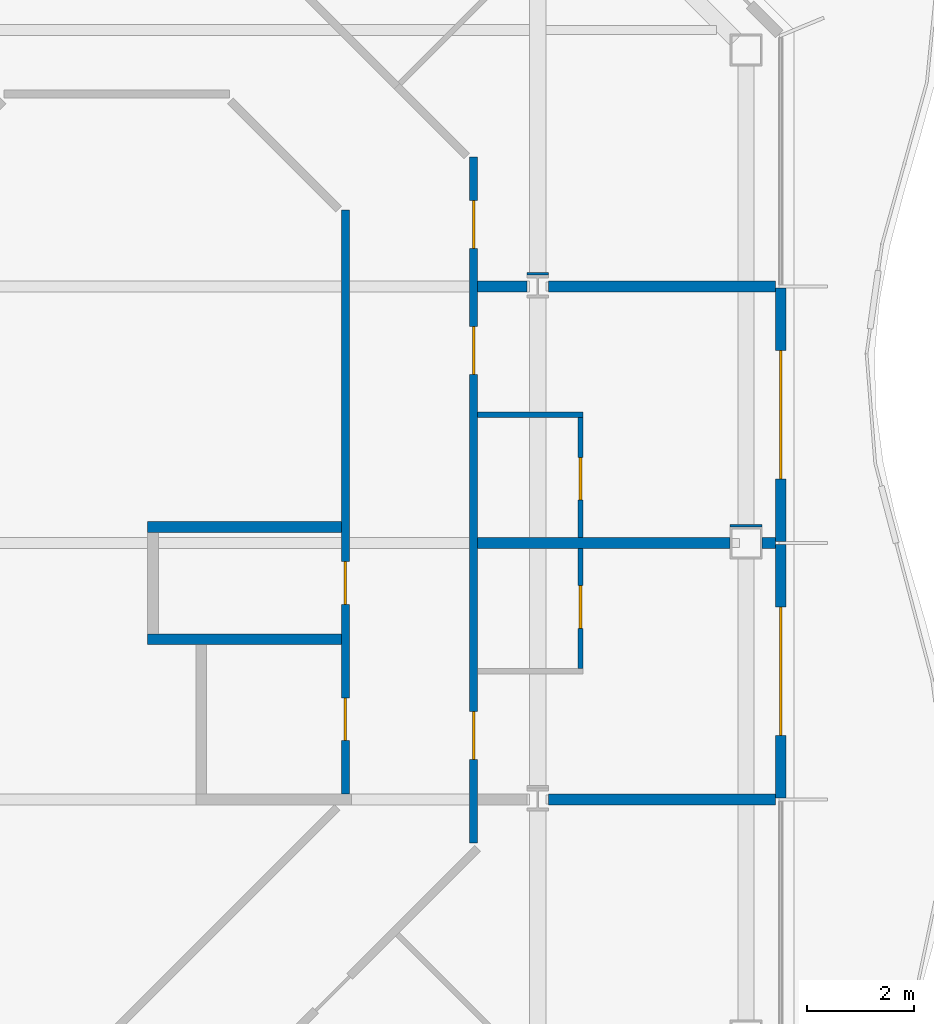
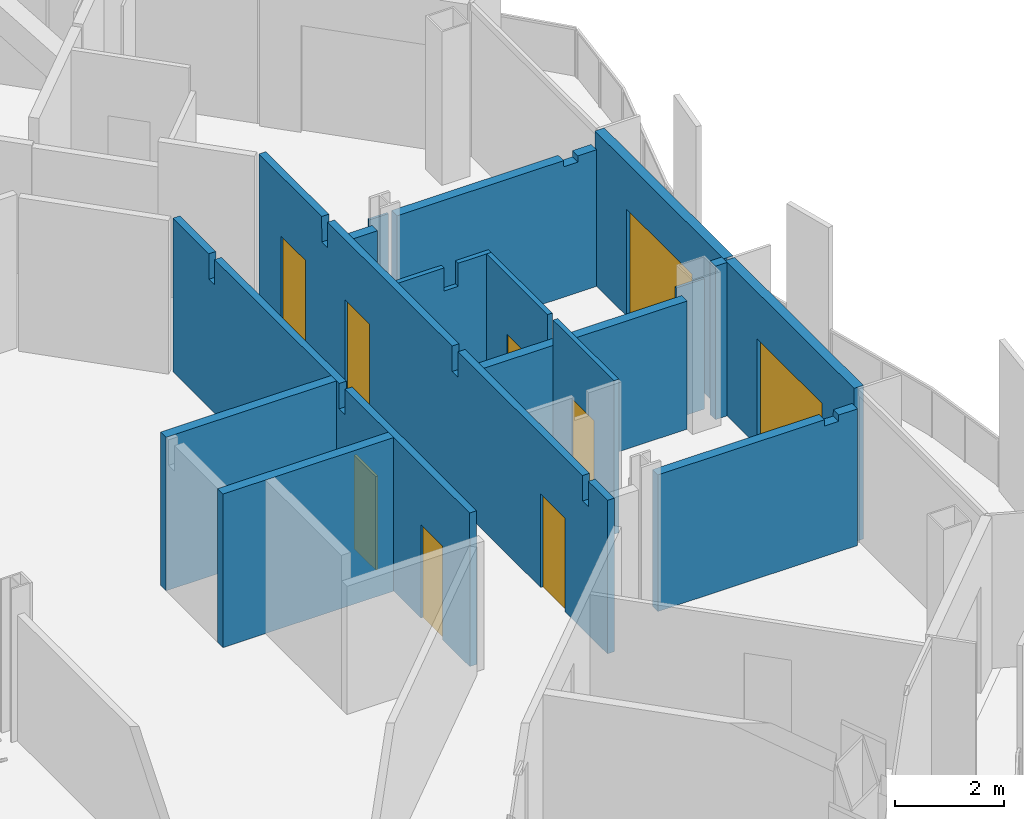
# One storey, part 11 of 21: 16 walls, 9 doors, 9 openings.
"""IFC4 building model written with IfcOpenShell, lengths in metres."""

import ifcopenshell
import ifcopenshell.guid

model = None  # the IFC model being written
_history = None  # IfcOwnerHistory: only IFC2X3 demands one
_inside = {}  # id of a spatial element -> (the spatial element, [elements in it])
_under = {}  # id of a project, library or spatial element -> (it, [spatial elements below it])
_declared = {}  # id of a project -> (the project, [libraries it declares])
_typed = {}  # id of a type object -> (the type object, [elements of that type])
_made_of = {}  # id of a material, layer set ... -> (it, [elements and type objects made of it])


def new_model(schema):
    """Start an empty IFC model of exactly this schema.

    Asked for "IFC4X3", IfcOpenShell would pick the latest addendum, in which some entities
    have other attributes; the version numbers below select the first issue.
    IFC2X3 requires an IfcOwnerHistory on every rooted entity: one is made here for all.
    """
    global model, _history
    if schema == "IFC4X3":
        model = ifcopenshell.file(schema_version=(4, 3, 0, 0))
    else:
        model = ifcopenshell.file(schema=schema)
    _inside.clear()
    _under.clear()
    _declared.clear()
    _typed.clear()
    _made_of.clear()
    _history = None
    if model.schema == "IFC2X3":
        org = make("IfcOrganization", Name="unknown")
        user = make(
            "IfcPersonAndOrganization",
            ThePerson=make("IfcPerson", FamilyName="unknown"),
            TheOrganization=org,
        )
        app = make(
            "IfcApplication",
            ApplicationDeveloper=org,
            Version="unknown",
            ApplicationFullName="unknown",
            ApplicationIdentifier="unknown",
        )
        _history = make(
            "IfcOwnerHistory",
            OwningUser=user,
            OwningApplication=app,
            ChangeAction="ADDED",
            CreationDate=0,
        )
    return model


def make(cls, **values):
    """One entity of the class cls with the attributes given. An attribute that is None is left unset."""
    return model.create_entity(
        cls, **{name: value for name, value in values.items() if value is not None}
    )


def rooted(cls, **values):
    """An entity with a GlobalId (a new one), such as an element, a storey or a relation."""
    return make(cls, GlobalId=ifcopenshell.guid.new(), OwnerHistory=_history, **values)


def si_unit(unit_type, name, prefix=None):
    """IfcSIUnit, for example si_unit("LENGTHUNIT", "METRE", prefix="MILLI")."""
    return make("IfcSIUnit", UnitType=unit_type, Prefix=prefix, Name=name)


def assignment(units):
    """IfcUnitAssignment: the units of a project."""
    return None if units is None else make("IfcUnitAssignment", Units=units)


def point(xyz):
    """IfcCartesianPoint."""
    return None if xyz is None else make("IfcCartesianPoint", Coordinates=xyz)


def direction(xyz):
    """IfcDirection."""
    return None if xyz is None else make("IfcDirection", DirectionRatios=xyz)


def frame(location, z_axis=None, x_axis=None):
    """IfcAxis2Placement3D, a coordinate frame: its origin and axes. An axis left out is left unset."""
    return make(
        "IfcAxis2Placement3D",
        Location=point(location),
        Axis=direction(z_axis),
        RefDirection=direction(x_axis),
    )


def frame_2d(location, x_axis=None):
    """IfcAxis2Placement2D, a coordinate frame in the plane: its origin and x axis."""
    return make(
        "IfcAxis2Placement2D", Location=point(location), RefDirection=direction(x_axis)
    )


def origin():
    """The frame at (0, 0, 0) with its axes left unset."""
    return frame((0.0, 0.0, 0.0))


def place(relative_to, where):
    """IfcLocalPlacement: puts the frame where relative to a parent placement (None: the world)."""
    return make(
        "IfcLocalPlacement", PlacementRelTo=relative_to, RelativePlacement=where
    )


def context(
    kind, dimensions, precision=None, world=None, true_north=None, identifier=None
):
    """IfcGeometricRepresentationContext, for example the 3D "Model" context."""
    return make(
        "IfcGeometricRepresentationContext",
        ContextIdentifier=identifier,
        ContextType=kind,
        CoordinateSpaceDimension=dimensions,
        Precision=precision,
        WorldCoordinateSystem=world,
        TrueNorth=true_north,
    )


def subcontext(parent, identifier, kind, view, scale=None):
    """IfcGeometricRepresentationSubContext, for example "Body" below "Model"."""
    return make(
        "IfcGeometricRepresentationSubContext",
        ContextIdentifier=identifier,
        ContextType=kind,
        ParentContext=parent,
        TargetScale=scale,
        TargetView=view,
    )


def project(units=None, contexts=None):
    """IfcProject with its units and contexts."""
    return rooted(
        "IfcProject",
        Name="project",
        RepresentationContexts=contexts,
        UnitsInContext=assignment(units),
    )


def spatial(cls, under=None, at=None, **own):
    """A site, building, storey or space (cls), placed at a placement, below another one or the project."""
    s = rooted(cls, ObjectPlacement=at, **own)
    if under is not None:
        _under.setdefault(under.id(), (under, []))[1].append(s)
    return s


def polyline(points):
    """IfcPolyline through the points."""
    return make("IfcPolyline", Points=[point(p) for p in points])


def profile(cls, at=None, kind="AREA", **sizes):
    """A parametric profile (cls). Its sizes go by their IFC names, for example OverallWidth=200.0."""
    return make(cls, ProfileType=kind, Position=at, **sizes)


def rectangle(**sizes):
    """IfcRectangleProfileDef."""
    return profile("IfcRectangleProfileDef", **sizes)


def outline(outer, holes=None, kind="AREA"):
    """IfcArbitraryClosedProfileDef: a profile drawn as a closed curve; with holes, ...WithVoids."""
    if holes is None:
        return make("IfcArbitraryClosedProfileDef", ProfileType=kind, OuterCurve=outer)
    return make(
        "IfcArbitraryProfileDefWithVoids",
        ProfileType=kind,
        OuterCurve=outer,
        InnerCurves=holes,
    )


def extrude(swept, where, along, depth):
    """IfcExtrudedAreaSolid: the profile swept, set in the frame where, extruded along a direction by depth."""
    return make(
        "IfcExtrudedAreaSolid",
        SweptArea=swept,
        Position=where,
        ExtrudedDirection=direction(along),
        Depth=depth,
    )


def shape(context_of_items, identifier, shape_type, items):
    """IfcShapeRepresentation: the items that make up one representation, for example the "Body"."""
    return make(
        "IfcShapeRepresentation",
        ContextOfItems=context_of_items,
        RepresentationIdentifier=identifier,
        RepresentationType=shape_type,
        Items=items,
    )


def material(Name=None, Category=None):
    """IfcMaterial."""
    return make("IfcMaterial", Name=Name, Category=Category)


def layer(
    of_material, thickness, ventilated=None, Name=None, Category=None, Priority=None
):
    """IfcMaterialLayer: one layer of a wall or slab, of a material (None: an air gap)."""
    return make(
        "IfcMaterialLayer",
        Material=of_material,
        LayerThickness=thickness,
        IsVentilated=ventilated,
        Name=Name,
        Category=Category,
        Priority=Priority,
    )


def layer_set(layers, Name=None):
    """IfcMaterialLayerSet."""
    return make("IfcMaterialLayerSet", MaterialLayers=layers, LayerSetName=Name)


def made_of(thing, what):
    """Note that an element or type object is made of a material, layer set ...; save() writes the relation."""
    if what is not None:
        _made_of.setdefault(what.id(), (what, []))[1].append(thing)
    return thing


def type_object(cls, material=None, **own):
    """A type object (cls), such as IfcWallType, which elements share."""
    return made_of(rooted(cls, **own), material)


def element(
    cls,
    number,
    at=None,
    inside=None,
    cuts=None,
    type_object=None,
    material=None,
    context=None,
    identifier="Body",
    shape_type=None,
    held_by="IfcProductDefinitionShape",
    body=None,
    shapes=None,
    **own,
):
    """One element of the class cls, such as IfcWall. Its Tag is "e" and its number.

    at: its placement. inside: the storey or other place that contains it. cuts: it is an
    opening in that element (IfcRelVoidsElement). A single representation is given by context,
    identifier, shape_type and body (its items); several are given by shapes. held_by: the class
    of the entity that holds the representations. save() writes the other relations.
    """
    e = rooted(cls, Tag="e%d" % number, ObjectPlacement=at, **own)
    if body is not None:
        shapes = [shape(context, identifier, shape_type, body)]
    if shapes is not None:
        e.Representation = make(held_by, Representations=shapes)
    if inside is not None:
        _inside.setdefault(inside.id(), (inside, []))[1].append(e)
    if cuts is not None:
        rooted(
            "IfcRelVoidsElement", RelatingBuildingElement=cuts, RelatedOpeningElement=e
        )
    if type_object is not None:
        _typed.setdefault(type_object.id(), (type_object, []))[1].append(e)
    return made_of(e, material)


def fill(opening, filler):
    """IfcRelFillsElement: the door or window that sits in an opening."""
    return rooted(
        "IfcRelFillsElement",
        RelatingOpeningElement=opening,
        RelatedBuildingElement=filler,
    )


def aggregate(whole, parts):
    """IfcRelAggregates: a whole, such as a stair, and the parts it consists of."""
    return rooted("IfcRelAggregates", RelatingObject=whole, RelatedObjects=parts)


def save(model, path):
    """Write the relations noted so far, then the file.

    IfcRelAggregates (storeys below a building ...), IfcRelContainedInSpatialStructure (elements
    in a storey), IfcRelDefinesByType, IfcRelAssociatesMaterial and IfcRelDeclares: one each for
    every whole, place, type object, material and project.
    """
    for whole, parts in _under.values():
        aggregate(whole, parts)
    for where, things in _inside.values():
        rooted(
            "IfcRelContainedInSpatialStructure",
            RelatedElements=things,
            RelatingStructure=where,
        )
    for kind, things in _typed.values():
        rooted("IfcRelDefinesByType", RelatedObjects=things, RelatingType=kind)
    for what, things in _made_of.values():
        rooted("IfcRelAssociatesMaterial", RelatedObjects=things, RelatingMaterial=what)
    for by, libraries in _declared.values():
        rooted("IfcRelDeclares", RelatingContext=by, RelatedDefinitions=libraries)
    model.write(path)


model = new_model("IFC4")

# Units and contexts
model_context = context("Model", 3, precision=1e-05, world=origin(), true_north=direction((0.0, 1.0)))
body_context = subcontext(model_context, "Body", "Model", "MODEL_VIEW")
ifc_project = project(units=[si_unit("LENGTHUNIT", "METRE"), si_unit("AREAUNIT", "SQUARE_METRE"), si_unit("VOLUMEUNIT", "CUBIC_METRE"), si_unit("PLANEANGLEUNIT", "RADIAN"), si_unit("MASSUNIT", "GRAM", prefix="KILO")], contexts=[model_context])

# Site, building, storey
site_placement = place(None, origin())
site = spatial("IfcSite", under=ifc_project, at=site_placement, CompositionType="ELEMENT")
building_placement = place(site_placement, origin())
building = spatial("IfcBuilding", under=site, at=building_placement, Name="Cairn Pilgrim Tower", CompositionType="ELEMENT")
storey_placement = place(building_placement, frame((0.0, 0.0, 157.800048828125)))
storey = spatial("IfcBuildingStorey", under=building, at=storey_placement, Name="L39", CompositionType="ELEMENT", Elevation=157.800048828125)

# Wall, opening, door
ifc_material_1 = material(Name="Bronze anodised aluminium insulated sandwich panel with mineral wool fill", Category="aluminium")
ifc_layer_1 = layer(ifc_material_1, 0.199951171875)
ifc_layer_set_1 = layer_set([ifc_layer_1], Name="BRONZE INFILL FRAME WALL 200")
wall_type_1 = type_object("IfcWallType", Name="BRONZE INFILL FRAME WALL 200", PredefinedType="NOTDEFINED", material=ifc_layer_set_1)
wall_1_placement = place(storey_placement, frame((35.75, 0.030029296875, 0.0), z_axis=(0.0, 0.0, 1.0), x_axis=(0.0, 1.0, 0.0)))
wall_1 = element("IfcWall", 1, at=wall_1_placement, inside=storey, type_object=wall_type_1, Name="Bronze infill frame wall IW-E2", PredefinedType="NOTDEFINED", context=body_context, shape_type="SweptSolid", body=[
    extrude(rectangle(XDim=4.739990234375, YDim=0.199951171875, at=frame_2d((2.3701171875, 0.0))), origin(), (0.0, 0.0, 1.0), 3.449951171875),
])
opening_1_placement = place(wall_1_placement, frame((1.169921875, 0.0, 0.0)))
opening_1 = element("IfcOpeningElement", 2, at=opening_1_placement, cuts=wall_1, Name="Opening 3906B", PredefinedType="OPENING", context=body_context, shape_type="SweptSolid", body=[
    extrude(rectangle(XDim=2.39990234375, YDim=2.39990234375, at=frame_2d((1.199951171875, 1.199951171875))), frame((0.0, 0.10986328125, 0.0), z_axis=(0.0, -1.0, 0.0), x_axis=(1.0, 0.0, 0.0)), (0.0, 0.0, 1.0), 0.219970703125),
])
ifc_material_2 = material(Name="Bronze anodised aluminium frame with tinted low-E glass", Category="aluminium")
door_type_1 = type_object("IfcDoorType", Name="BALCONY SLIDING DOOR 2400x2400", OperationType="DOUBLE_DOOR_SLIDING", PredefinedType="DOOR", material=ifc_material_2)
door_1_placement = place(opening_1_placement, origin())
door_1 = element("IfcDoor", 3, at=door_1_placement, inside=storey, type_object=door_type_1, Name="Balcony sliding door 3906B", OperationType="SINGLE_SWING_LEFT", OverallHeight=2.39990234375, OverallWidth=2.39990234375, PredefinedType="DOOR", context=body_context, shape_type="SweptSolid", body=[
    extrude(rectangle(XDim=2.39990234375, YDim=2.39990234375, at=frame_2d((1.199951171875, 1.199951171875))), frame((0.0, 0.02490234375, 0.0), z_axis=(0.0, -1.0, 0.0), x_axis=(1.0, 0.0, 0.0)), (0.0, 0.0, 1.0), 0.050048828125),
])
fill(opening_1, door_1)

wall_2_placement = place(storey_placement, frame((35.75, 4.830078125, 0.0), z_axis=(0.0, 0.0, 1.0), x_axis=(0.0, 1.0, 0.0)))
wall_2 = element("IfcWall", 4, at=wall_2_placement, inside=storey, type_object=wall_type_1, Name="Bronze infill frame wall IW-E3", PredefinedType="NOTDEFINED", context=body_context, shape_type="SweptSolid", body=[
    extrude(rectangle(XDim=4.739990234375, YDim=0.199951171875, at=frame_2d((2.3701171875, 0.0))), origin(), (0.0, 0.0, 1.0), 3.449951171875),
])
opening_2_placement = place(wall_2_placement, frame((1.169921875, 0.0, 0.0)))
opening_2 = element("IfcOpeningElement", 5, at=opening_2_placement, cuts=wall_2, Name="Opening 3907B", PredefinedType="OPENING", context=body_context, shape_type="SweptSolid", body=[
    extrude(rectangle(XDim=2.39990234375, YDim=2.39990234375, at=frame_2d((1.199951171875, 1.199951171875))), frame((0.0, 0.10986328125, 0.0), z_axis=(0.0, -1.0, 0.0), x_axis=(1.0, 0.0, 0.0)), (0.0, 0.0, 1.0), 0.219970703125),
])
door_2_placement = place(opening_2_placement, origin())
door_2 = element("IfcDoor", 6, at=door_2_placement, inside=storey, type_object=door_type_1, Name="Balcony sliding door 3907B", OperationType="SINGLE_SWING_LEFT", OverallHeight=2.39990234375, OverallWidth=2.39990234375, PredefinedType="DOOR", context=body_context, shape_type="SweptSolid", body=[
    extrude(rectangle(XDim=2.39990234375, YDim=2.39990234375, at=frame_2d((1.199951171875, 1.199951171875))), frame((0.0, 0.02490234375, 0.0), z_axis=(0.0, -1.0, 0.0), x_axis=(1.0, 0.0, 0.0)), (0.0, 0.0, 1.0), 0.050048828125),
])
fill(opening_2, door_2)

ifc_material_3 = material(Name="Gypsum partition")
ifc_layer_2 = layer(ifc_material_3, 0.10009765625)
ifc_layer_set_2 = layer_set([ifc_layer_2], Name="PARTITION 100 DRYWALL")
wall_type_2 = type_object("IfcWallType", Name="PARTITION 100 DRYWALL", PredefinedType="PARTITIONING", material=ifc_layer_set_2)
wall_3_placement = place(storey_placement, frame((32.0, 2.449951171875, 0.0), z_axis=(0.0, 0.0, 1.0), x_axis=(0.0, 1.0, 0.0)))
wall_3 = element("IfcWall", 7, at=wall_3_placement, inside=storey, type_object=wall_type_2, Name="PARTITION W050", PredefinedType="PARTITIONING", context=body_context, shape_type="SweptSolid", body=[
    extrude(rectangle(XDim=2.25, YDim=0.10009765625, at=frame_2d((1.125, 0.0))), origin(), (0.0, 0.0, 1.0), 3.449951171875),
])
opening_3_placement = place(wall_3_placement, frame((0.75, 0.0, 0.0)))
opening_3 = element("IfcOpeningElement", 8, at=opening_3_placement, cuts=wall_3, Name="Opening 3906A", PredefinedType="OPENING", context=body_context, shape_type="SweptSolid", body=[
    extrude(rectangle(XDim=0.800048828125, YDim=2.10009765625, at=frame_2d((0.39990234375, 1.050048828125))), frame((0.0, 0.06005859375, 0.0), z_axis=(0.0, -1.0, 0.0), x_axis=(1.0, 0.0, 0.0)), (0.0, 0.0, 1.0), 0.1201171875),
])
ifc_material_4 = material(Name="Timber door leaf", Category="wood")
door_type_2 = type_object("IfcDoorType", Name="WC DOOR 800x2100", OperationType="NOTDEFINED", PredefinedType="DOOR", material=ifc_material_4)
door_3_placement = place(opening_3_placement, frame((0.800048828125, 0.0, 0.0), z_axis=(0.0, 0.0, 1.0), x_axis=(-1.0, 0.0, 0.0)))
door_3 = element("IfcDoor", 9, at=door_3_placement, inside=storey, type_object=door_type_2, Name="DOOR 3906A", OperationType="SINGLE_SWING_LEFT", OverallHeight=2.10009765625, OverallWidth=0.800048828125, PredefinedType="DOOR", context=body_context, shape_type="SweptSolid", body=[
    extrude(rectangle(XDim=0.800048828125, YDim=2.10009765625, at=frame_2d((0.39990234375, 1.050048828125))), frame((0.0, 0.02490234375, 0.0), z_axis=(0.0, -1.0, 0.0), x_axis=(1.0, 0.0, 0.0)), (0.0, 0.0, 1.0), 0.050048828125),
])
fill(opening_3, door_3)

wall_4_placement = place(storey_placement, frame((32.0, 4.89990234375, 0.0), z_axis=(0.0, 0.0, 1.0), x_axis=(0.0, 1.0, 0.0)))
wall_4 = element("IfcWall", 10, at=wall_4_placement, inside=storey, type_object=wall_type_2, Name="PARTITION W060", PredefinedType="PARTITIONING", context=body_context, shape_type="SweptSolid", body=[
    extrude(rectangle(XDim=2.25, YDim=0.10009765625, at=frame_2d((1.125, 0.0))), origin(), (0.0, 0.0, 1.0), 3.449951171875),
])
opening_4_placement = place(wall_4_placement, frame((0.699951171875, 0.0, 0.0)))
opening_4 = element("IfcOpeningElement", 11, at=opening_4_placement, cuts=wall_4, Name="Opening 3907A", PredefinedType="OPENING", context=body_context, shape_type="SweptSolid", body=[
    extrude(rectangle(XDim=0.800048828125, YDim=2.10009765625, at=frame_2d((0.39990234375, 1.050048828125))), frame((0.0, 0.06005859375, 0.0), z_axis=(0.0, -1.0, 0.0), x_axis=(1.0, 0.0, 0.0)), (0.0, 0.0, 1.0), 0.1201171875),
])
door_4_placement = place(opening_4_placement, frame((0.800048828125, 0.0, 0.0), z_axis=(0.0, 0.0, 1.0), x_axis=(-1.0, 0.0, 0.0)))
door_4 = element("IfcDoor", 12, at=door_4_placement, inside=storey, type_object=door_type_2, Name="DOOR 3907A", OperationType="SINGLE_SWING_LEFT", OverallHeight=2.10009765625, OverallWidth=0.800048828125, PredefinedType="DOOR", context=body_context, shape_type="SweptSolid", body=[
    extrude(rectangle(XDim=0.800048828125, YDim=2.10009765625, at=frame_2d((0.39990234375, 1.050048828125))), frame((0.0, 0.02490234375, 0.0), z_axis=(0.0, -1.0, 0.0), x_axis=(1.0, 0.0, 0.0)), (0.0, 0.0, 1.0), 0.050048828125),
])
fill(opening_4, door_4)

# Wall
wall_5_placement = place(storey_placement, frame((30.074951171875, 7.199951171875, 0.0), z_axis=(0.0, 0.0, 1.0), x_axis=(1.0, 0.0, 0.0)))
element("IfcWall", 13, at=wall_5_placement, inside=storey, type_object=wall_type_2, Name="PARTITION W063", PredefinedType="PARTITIONING", context=body_context, shape_type="SweptSolid", body=[
    extrude(outline(polyline([(0.0, 0.0), (1.97509765625, 0.0), (1.97509765625, 3.449951171875), (1.27490234375, 3.449951171875), (1.27294921875, 2.929931640625), (0.97509765625, 2.929931640625), (0.972900390625, 3.449951171875), (0.0, 3.449951171875), (0.0, 0.0)])), frame((0.0, 0.050048828125, 0.0), z_axis=(0.0, -1.0, 0.0), x_axis=(1.0, 0.0, 0.0)), (0.0, 0.0, 1.0), 0.10009765625),
])

# Wall, openings, doors
ifc_layer_3 = layer(ifc_material_3, 0.14990234375)
ifc_layer_set_3 = layer_set([ifc_layer_3], Name="PARTITION 150 DRYWALL EI 60")
wall_type_3 = type_object("IfcWallType", Name="PARTITION 150 DRYWALL EI 60", PredefinedType="PARTITIONING", material=ifc_layer_set_3)
wall_6_placement = place(storey_placement, frame((30.0, -0.81298828125, 0.0), z_axis=(0.0, 0.0, 1.0), x_axis=(0.0, 1.0, 0.0)))
wall_6 = element("IfcWall", 14, at=wall_6_placement, inside=storey, type_object=wall_type_3, Name="PARTITION W039", PredefinedType="PARTITIONING", context=body_context, shape_type="SweptSolid", body=[
    extrude(outline(polyline([(0.0, 0.0), (12.833984375, 0.0), (12.833984375, 3.449951171875), (10.517822265625, 3.449951171875), (10.515869140625, 2.8798828125), (10.307861328125, 2.8798828125), (10.305908203125, 3.449951171875), (5.718017578125, 3.449951171875), (5.7158203125, 2.8798828125), (5.5078125, 2.8798828125), (5.505859375, 3.449951171875), (0.91796875, 3.449951171875), (0.916015625, 2.8798828125), (0.7080078125, 2.8798828125), (0.705810546875, 3.449951171875), (0.0, 3.449951171875), (0.0, 0.0)])), frame((0.0, 0.074951171875, 0.0), z_axis=(0.0, -1.0, 0.0), x_axis=(1.0, 0.0, 0.0)), (0.0, 0.0, 1.0), 0.14990234375),
])
opening_5_placement = place(wall_6_placement, frame((1.56298828125, 0.0, 0.0)))
opening_5 = element("IfcOpeningElement", 15, at=opening_5_placement, cuts=wall_6, Name="Opening 3906", PredefinedType="OPENING", context=body_context, shape_type="SweptSolid", body=[
    extrude(rectangle(XDim=0.89990234375, YDim=2.10009765625, at=frame_2d((0.449951171875, 1.050048828125))), frame((0.0, 0.0849609375, 0.0), z_axis=(0.0, -1.0, 0.0), x_axis=(1.0, 0.0, 0.0)), (0.0, 0.0, 1.0), 0.169921875),
])
opening_6_placement = place(wall_6_placement, frame((8.762939453125, 0.0, 0.0)))
opening_6 = element("IfcOpeningElement", 16, at=opening_6_placement, cuts=wall_6, Name="Opening 3907", PredefinedType="OPENING", context=body_context, shape_type="SweptSolid", body=[
    extrude(rectangle(XDim=0.89990234375, YDim=2.10009765625, at=frame_2d((0.449951171875, 1.050048828125))), frame((0.0, 0.0849609375, 0.0), z_axis=(0.0, -1.0, 0.0), x_axis=(1.0, 0.0, 0.0)), (0.0, 0.0, 1.0), 0.169921875),
])
opening_7_placement = place(wall_6_placement, frame((11.120849609375, 0.0, 0.0)))
opening_7 = element("IfcOpeningElement", 17, at=opening_7_placement, cuts=wall_6, Name="Opening 3908", PredefinedType="OPENING", context=body_context, shape_type="SweptSolid", body=[
    extrude(rectangle(XDim=0.89990234375, YDim=2.10009765625, at=frame_2d((0.449951171875, 1.050048828125))), frame((0.0, 0.0849609375, 0.0), z_axis=(0.0, -1.0, 0.0), x_axis=(1.0, 0.0, 0.0)), (0.0, 0.0, 1.0), 0.169921875),
])
door_type_3 = type_object("IfcDoorType", Name="ROOM DOOR 900x2100 FD30S", OperationType="NOTDEFINED", PredefinedType="DOOR", material=ifc_material_4)
door_5_placement = place(opening_5_placement, frame((0.89990234375, 0.0, 0.0), z_axis=(0.0, 0.0, 1.0), x_axis=(-1.0, 0.0, 0.0)))
door_5 = element("IfcDoor", 18, at=door_5_placement, inside=storey, type_object=door_type_3, Name="DOOR 3906", OperationType="SINGLE_SWING_LEFT", OverallHeight=2.10009765625, OverallWidth=0.89990234375, PredefinedType="DOOR", context=body_context, shape_type="SweptSolid", body=[
    extrude(rectangle(XDim=0.89990234375, YDim=2.10009765625, at=frame_2d((0.449951171875, 1.050048828125))), frame((0.0, 0.02490234375, 0.0), z_axis=(0.0, -1.0, 0.0), x_axis=(1.0, 0.0, 0.0)), (0.0, 0.0, 1.0), 0.050048828125),
])
fill(opening_5, door_5)
door_6_placement = place(opening_6_placement, frame((0.89990234375, 0.0, 0.0), z_axis=(0.0, 0.0, 1.0), x_axis=(-1.0, 0.0, 0.0)))
door_6 = element("IfcDoor", 19, at=door_6_placement, inside=storey, type_object=door_type_3, Name="DOOR 3907", OperationType="SINGLE_SWING_LEFT", OverallHeight=2.10009765625, OverallWidth=0.89990234375, PredefinedType="DOOR", context=body_context, shape_type="SweptSolid", body=[
    extrude(rectangle(XDim=0.89990234375, YDim=2.10009765625, at=frame_2d((0.449951171875, 1.050048828125))), frame((0.0, 0.02490234375, 0.0), z_axis=(0.0, -1.0, 0.0), x_axis=(1.0, 0.0, 0.0)), (0.0, 0.0, 1.0), 0.050048828125),
])
fill(opening_6, door_6)
door_7_placement = place(opening_7_placement, frame((0.89990234375, 0.0, 0.0), z_axis=(0.0, 0.0, 1.0), x_axis=(-1.0, 0.0, 0.0)))
door_7 = element("IfcDoor", 20, at=door_7_placement, inside=storey, type_object=door_type_3, Name="DOOR 3908", OperationType="SINGLE_SWING_LEFT", OverallHeight=2.10009765625, OverallWidth=0.89990234375, PredefinedType="DOOR", context=body_context, shape_type="SweptSolid", body=[
    extrude(rectangle(XDim=0.89990234375, YDim=2.10009765625, at=frame_2d((0.449951171875, 1.050048828125))), frame((0.0, 0.02490234375, 0.0), z_axis=(0.0, -1.0, 0.0), x_axis=(1.0, 0.0, 0.0)), (0.0, 0.0, 1.0), 0.050048828125),
])
fill(opening_7, door_7)

wall_7_placement = place(storey_placement, frame((27.60009765625, 0.10009765625, 0.0), z_axis=(0.0, 0.0, 1.0), x_axis=(0.0, 1.0, 0.0)))
wall_7 = element("IfcWall", 21, at=wall_7_placement, inside=storey, type_object=wall_type_3, Name="PARTITION W046", PredefinedType="PARTITIONING", context=body_context, shape_type="SweptSolid", body=[
    extrude(outline(polyline([(0.0, 0.0), (10.927001953125, 0.0), (10.927001953125, 3.449951171875), (9.60498046875, 3.449951171875), (9.60302734375, 2.8798828125), (9.39501953125, 2.8798828125), (9.39306640625, 3.449951171875), (4.804931640625, 3.449951171875), (4.802978515625, 2.8798828125), (4.594970703125, 2.8798828125), (4.593017578125, 3.449951171875), (0.0048828125, 3.449951171875), (0.0029296875, 2.8798828125), (0.0, 2.8798828125), (0.0, 0.0)])), frame((0.0, 0.074951171875, 0.0), z_axis=(0.0, -1.0, 0.0), x_axis=(1.0, 0.0, 0.0)), (0.0, 0.0, 1.0), 0.14990234375),
])
opening_8_placement = place(wall_7_placement, frame((1.0, 0.0, 0.0)))
opening_8 = element("IfcOpeningElement", 22, at=opening_8_placement, cuts=wall_7, Name="Opening 3924", PredefinedType="OPENING", context=body_context, shape_type="SweptSolid", body=[
    extrude(rectangle(XDim=0.800048828125, YDim=2.10009765625, at=frame_2d((0.39990234375, 1.050048828125))), frame((0.0, 0.0849609375, 0.0), z_axis=(0.0, -1.0, 0.0), x_axis=(1.0, 0.0, 0.0)), (0.0, 0.0, 1.0), 0.169921875),
])
opening_9_placement = place(wall_7_placement, frame((3.550048828125, 0.0, 0.0)))
opening_9 = element("IfcOpeningElement", 23, at=opening_9_placement, cuts=wall_7, Name="Opening 3925", PredefinedType="OPENING", context=body_context, shape_type="SweptSolid", body=[
    extrude(rectangle(XDim=0.800048828125, YDim=2.10009765625, at=frame_2d((0.39990234375, 1.050048828125))), frame((0.0, 0.0849609375, 0.0), z_axis=(0.0, -1.0, 0.0), x_axis=(1.0, 0.0, 0.0)), (0.0, 0.0, 1.0), 0.169921875),
])
door_type_4 = type_object("IfcDoorType", Name="WC DOOR 800x2100 FD30S", OperationType="NOTDEFINED", PredefinedType="DOOR", material=ifc_material_4)
door_8_placement = place(opening_8_placement, origin())
door_8 = element("IfcDoor", 24, at=door_8_placement, inside=storey, type_object=door_type_4, Name="DOOR 3924", OperationType="SINGLE_SWING_LEFT", OverallHeight=2.10009765625, OverallWidth=0.800048828125, PredefinedType="DOOR", context=body_context, shape_type="SweptSolid", body=[
    extrude(rectangle(XDim=0.800048828125, YDim=2.10009765625, at=frame_2d((0.39990234375, 1.050048828125))), frame((0.0, 0.02490234375, 0.0), z_axis=(0.0, -1.0, 0.0), x_axis=(1.0, 0.0, 0.0)), (0.0, 0.0, 1.0), 0.050048828125),
])
fill(opening_8, door_8)
door_9_placement = place(opening_9_placement, origin())
door_9 = element("IfcDoor", 25, at=door_9_placement, inside=storey, type_object=door_type_4, Name="DOOR 3925", OperationType="SINGLE_SWING_LEFT", OverallHeight=2.10009765625, OverallWidth=0.800048828125, PredefinedType="DOOR", context=body_context, shape_type="SweptSolid", body=[
    extrude(rectangle(XDim=0.800048828125, YDim=2.10009765625, at=frame_2d((0.39990234375, 1.050048828125))), frame((0.0, 0.02490234375, 0.0), z_axis=(0.0, -1.0, 0.0), x_axis=(1.0, 0.0, 0.0)), (0.0, 0.0, 1.0), 0.050048828125),
])
fill(opening_9, door_9)

# Walls
ifc_layer_4 = layer(ifc_material_3, 0.050048828125)
ifc_layer_set_4 = layer_set([ifc_layer_4], Name="PARTITION 50 DRYWALL EI 60")
wall_type_4 = type_object("IfcWallType", Name="PARTITION 50 DRYWALL EI 60", PredefinedType="PARTITIONING", material=ifc_layer_set_4)
wall_8_placement = place(storey_placement, frame((34.800048828125, 5.125, 0.0), z_axis=(0.0, 0.0, 1.0), x_axis=(1.0, 0.0, 0.0)))
element("IfcWall", 26, at=wall_8_placement, inside=storey, type_object=wall_type_4, Name="COLUMN CASING WC20", PredefinedType="PARTITIONING", context=body_context, shape_type="SweptSolid", body=[
    extrude(rectangle(XDim=0.599853515625, YDim=0.050048828125, at=frame_2d((0.2998046875, 0.0))), origin(), (0.0, 0.0, 1.0), 2.929931640625),
])
wall_9_placement = place(storey_placement, frame((30.99560546875, 9.83740234375, 0.0), z_axis=(0.0, 0.0, 1.0), x_axis=(1.0, 0.0, 0.0)))
element("IfcWall", 27, at=wall_9_placement, inside=storey, type_object=wall_type_4, Name="COLUMN CASING WC22", PredefinedType="PARTITIONING", context=body_context, shape_type="SweptSolid", body=[
    extrude(rectangle(XDim=0.408935546875, YDim=0.050048828125, at=frame_2d((0.20458984375, 0.0))), origin(), (0.0, 0.0, 1.0), 2.929931640625),
])
ifc_layer_5 = layer(ifc_material_3, 0.199951171875)
ifc_layer_set_5 = layer_set([ifc_layer_5], Name="SHAFT WALL 200 GYPSUM EI 60")
wall_type_5 = type_object("IfcWallType", Name="SHAFT WALL 200 GYPSUM EI 60", PredefinedType="PARTITIONING", material=ifc_layer_set_5)
wall_10_placement = place(storey_placement, frame((31.404541015625, 0.0, 0.0), z_axis=(0.0, 0.0, 1.0), x_axis=(1.0, 0.0, 0.0)))
element("IfcWall", 28, at=wall_10_placement, inside=storey, type_object=wall_type_5, Name="PARTITION W044", PredefinedType="PARTITIONING", context=body_context, shape_type="SweptSolid", body=[
    extrude(outline(polyline([(0.0, 0.0), (4.245361328125, 0.0), (4.24560546875, 3.070068359375), (3.845458984375, 3.070068359375), (3.843505859375, 2.929931640625), (3.54541015625, 2.929931640625), (3.54345703125, 3.070068359375), (0.0, 3.070068359375), (0.0, 0.0)])), frame((0.0, 0.10009765625, 0.0), z_axis=(0.0, -1.0, 0.0), x_axis=(1.0, 0.0, 0.0)), (0.0, 0.0, 1.0), 0.199951171875),
])
wall_11_placement = place(storey_placement, frame((23.89990234375, 3.0, 0.0), z_axis=(0.0, 0.0, 1.0), x_axis=(1.0, 0.0, 0.0)))
element("IfcWall", 29, at=wall_11_placement, inside=storey, type_object=wall_type_5, Name="PARTITION W053", PredefinedType="PARTITIONING", context=body_context, shape_type="SweptSolid", body=[
    extrude(rectangle(XDim=3.625, YDim=0.199951171875, at=frame_2d((1.8125, 0.0))), origin(), (0.0, 0.0, 1.0), 3.449951171875),
])
wall_12_placement = place(storey_placement, frame((30.074951171875, 4.800048828125, 0.0), z_axis=(0.0, 0.0, 1.0), x_axis=(1.0, 0.0, 0.0)))
element("IfcWall", 30, at=wall_12_placement, inside=storey, type_object=wall_type_5, Name="PARTITION W057", PredefinedType="PARTITIONING", context=body_context, shape_type="SweptSolid", body=[
    extrude(rectangle(XDim=4.72509765625, YDim=0.199951171875, at=frame_2d((2.362548828125, 0.0))), origin(), (0.0, 0.0, 1.0), 2.8798828125),
])
wall_13_placement = place(storey_placement, frame((35.39990234375, 4.800048828125, 0.0), z_axis=(0.0, 0.0, 1.0), x_axis=(1.0, 0.0, 0.0)))
element("IfcWall", 31, at=wall_13_placement, inside=storey, type_object=wall_type_5, Name="PARTITION W058", PredefinedType="PARTITIONING", context=body_context, shape_type="SweptSolid", body=[
    extrude(rectangle(XDim=0.25, YDim=0.199951171875, at=frame_2d((0.125, 0.0))), origin(), (0.0, 0.0, 1.0), 3.449951171875),
])
wall_14_placement = place(storey_placement, frame((23.89990234375, 5.10009765625, 0.0), z_axis=(0.0, 0.0, 1.0), x_axis=(1.0, 0.0, 0.0)))
element("IfcWall", 32, at=wall_14_placement, inside=storey, type_object=wall_type_5, Name="PARTITION W061", PredefinedType="PARTITIONING", context=body_context, shape_type="SweptSolid", body=[
    extrude(rectangle(XDim=3.625, YDim=0.199951171875, at=frame_2d((1.8125, 0.0))), origin(), (0.0, 0.0, 1.0), 3.449951171875),
])
wall_15_placement = place(storey_placement, frame((30.074951171875, 9.60009765625, 0.0), z_axis=(0.0, 0.0, 1.0), x_axis=(1.0, 0.0, 0.0)))
element("IfcWall", 33, at=wall_15_placement, inside=storey, type_object=wall_type_5, Name="PARTITION W066", PredefinedType="PARTITIONING", context=body_context, shape_type="SweptSolid", body=[
    extrude(rectangle(XDim=0.920654296875, YDim=0.199951171875, at=frame_2d((0.46044921875, 0.0))), origin(), (0.0, 0.0, 1.0), 2.8798828125),
])
wall_16_placement = place(storey_placement, frame((31.404541015625, 9.60009765625, 0.0), z_axis=(0.0, 0.0, 1.0), x_axis=(1.0, 0.0, 0.0)))
element("IfcWall", 34, at=wall_16_placement, inside=storey, type_object=wall_type_5, Name="PARTITION W067", PredefinedType="PARTITIONING", context=body_context, shape_type="SweptSolid", body=[
    extrude(outline(polyline([(0.0, 0.0), (4.245361328125, 0.0), (4.24560546875, 3.070068359375), (3.845458984375, 3.070068359375), (3.843505859375, 2.929931640625), (3.54541015625, 2.929931640625), (3.54345703125, 3.070068359375), (0.0, 3.070068359375), (0.0, 0.0)])), frame((0.0, 0.10009765625, 0.0), z_axis=(0.0, -1.0, 0.0), x_axis=(1.0, 0.0, 0.0)), (0.0, 0.0, 1.0), 0.199951171875),
])

save(model, "model.ifc")
